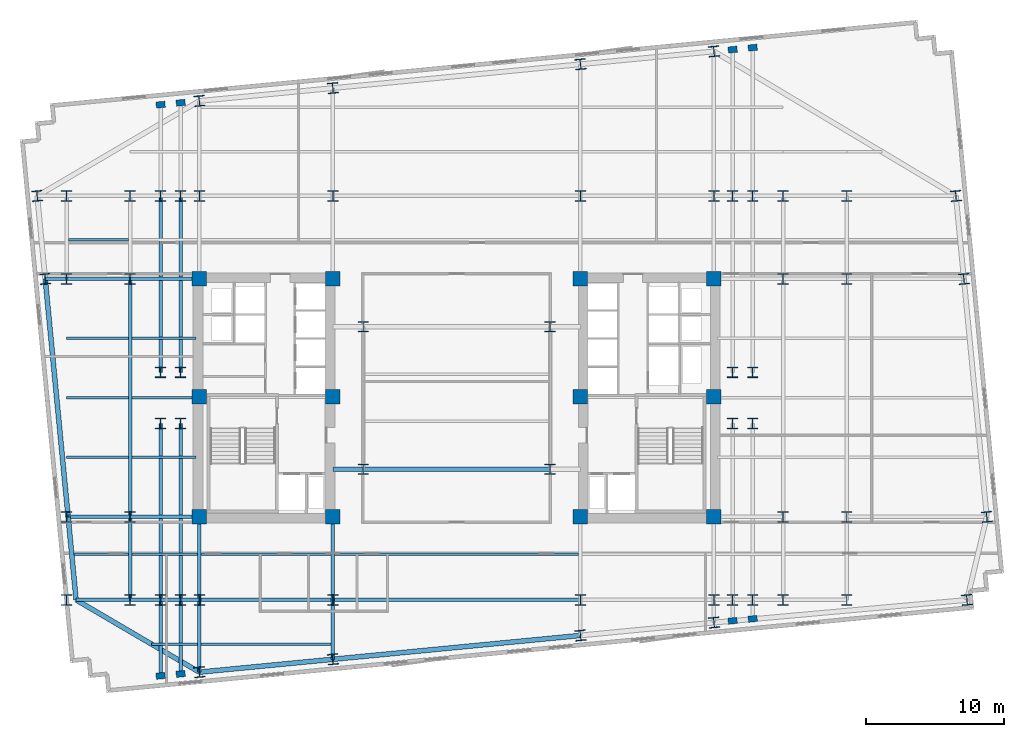
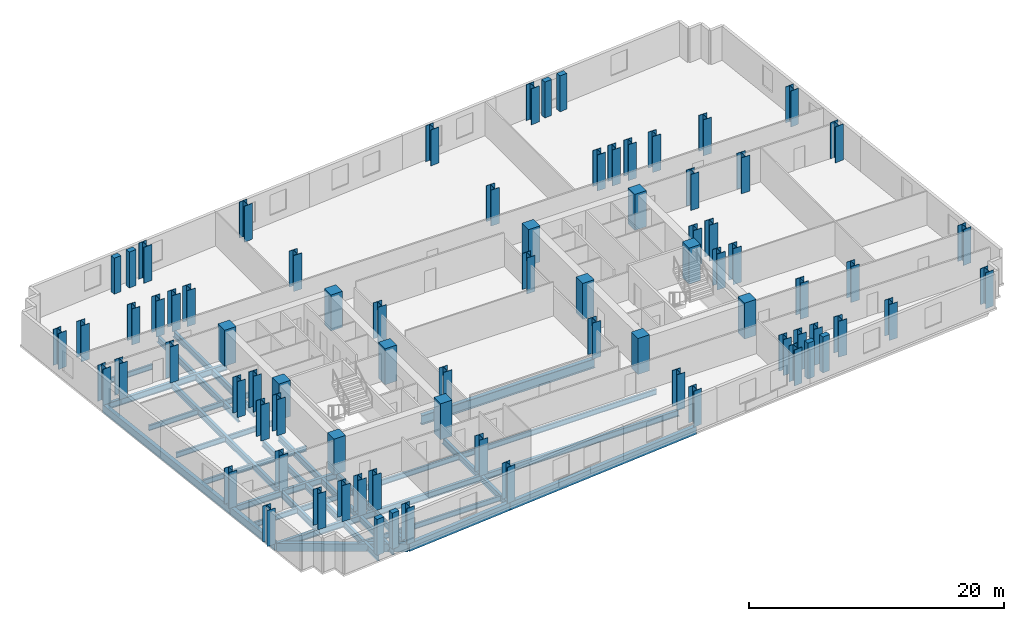
# One storey, part 1 of 10: 78 columns, 41 beams.
"""IFC4 building model written with IfcOpenShell, lengths in metres."""

from ifc_helpers import new_model, si_unit, direction, frame, origin, origin_2d, place, context, subcontext, project, spatial, rectangle, i_section, extrude, material, material_profile, profile_set, type_object, element, save


model = new_model("IFC4")

# Units and contexts
model_context = context("Model", 3, precision=1e-05, world=origin(), true_north=direction((0.0, 1.0)))
body_context = subcontext(model_context, "Body", "Model", "MODEL_VIEW")
ifc_project = project(units=[si_unit("LENGTHUNIT", "METRE"), si_unit("AREAUNIT", "SQUARE_METRE"), si_unit("VOLUMEUNIT", "CUBIC_METRE"), si_unit("PLANEANGLEUNIT", "RADIAN"), si_unit("MASSUNIT", "GRAM", prefix="KILO")], contexts=[model_context])

# Site, building, storey
site_placement = place(None, origin())
site = spatial("IfcSite", under=ifc_project, at=site_placement, CompositionType="ELEMENT")
building_placement = place(site_placement, origin())
building = spatial("IfcBuilding", under=site, at=building_placement, Name="Velakula Bourse", CompositionType="ELEMENT")
storey_placement = place(building_placement, frame((0.0, 0.0, 77.64990234375)))
storey = spatial("IfcBuildingStorey", under=building, at=storey_placement, Name="L20", CompositionType="ELEMENT", Elevation=77.64990234375)

# Columns
ifc_material_1 = material(Name="Concrete M70 (fck 70 MPa)", Category="concrete")
ifc_material_profile_1 = material_profile(ifc_material_1, rectangle(XDim=1.050048828125, YDim=1.050048828125, at=origin_2d()), Name="Concrete M70 (fck 70 MPa)")
ifc_profile_set_1 = profile_set([ifc_material_profile_1], Name="Concrete M70 (fck 70 MPa)")
column_type_1 = type_object("IfcColumnType", Name="COL-RC-1050", PredefinedType="COLUMN", material=ifc_profile_set_1)
for number, where, z_axis, x_axis, name in (
    (1, (-8.949951171875, -8.60009765625, 0.0), (0.0, 0.0, 1.0), (1.0, 0.0, 0.0), "L20 Core Boundary Column 01"),
    (2, (-8.949951171875, 0.10009765625, 0.0), (0.0, 0.0, 1.0), (1.0, 0.0, 0.0), "L20 Core Boundary Column 02"),
    (3, (-8.949951171875, 8.60009765625, 0.0), (0.0, 0.0, 1.0), (1.0, 0.0, 0.0), "L20 Core Boundary Column 03"),
    (4, (-18.60009765625, -8.60009765625, 0.0), (0.0, 0.0, 1.0), (1.0, 0.0, 0.0), "L20 Core Boundary Column 04"),
    (5, (-18.60009765625, 0.10009765625, 0.0), (0.0, 0.0, 1.0), (1.0, 0.0, 0.0), "L20 Core Boundary Column 05"),
    (6, (-18.60009765625, 8.60009765625, 0.0), (0.0, 0.0, 1.0), (1.0, 0.0, 0.0), "L20 Core Boundary Column 06"),
    (7, (8.949951171875, -8.60009765625, 0.0), (0.0, 0.0, 1.0), (1.0, 0.0, 0.0), "L20 Core Boundary Column 07"),
    (8, (8.949951171875, 0.10009765625, 0.0), (0.0, 0.0, 1.0), (1.0, 0.0, 0.0), "L20 Core Boundary Column 08"),
    (9, (8.949951171875, 8.60009765625, 0.0), (0.0, 0.0, 1.0), (1.0, 0.0, 0.0), "L20 Core Boundary Column 09"),
    (10, (18.60009765625, -8.60009765625, 0.0), (0.0, 0.0, 1.0), (1.0, 0.0, 0.0), "L20 Core Boundary Column 10"),
    (11, (18.60009765625, 0.10009765625, 0.0), (0.0, 0.0, 1.0), (1.0, 0.0, 0.0), "L20 Core Boundary Column 11"),
    (12, (18.60009765625, 8.60009765625, 0.0), (0.0, 0.0, 1.0), (1.0, 0.0, 0.0), "L20 Core Boundary Column 12"),
):
    element("IfcColumn", number, at=place(storey_placement, frame(where, z_axis=z_axis, x_axis=x_axis)), inside=storey, type_object=column_type_1, Name=name, PredefinedType="COLUMN", context=body_context, shape_type="SweptSolid", body=[
        extrude(rectangle(XDim=1.050048828125, YDim=1.050048828125, at=origin_2d()), origin(), (0.0, 0.0, 1.0), 3.4501953125),
    ])
ifc_material_2 = material(Name="Steel IS 2062 Grade 450 (E450)", Category="steel")
ifc_material_profile_2 = material_profile(ifc_material_2, i_section(OverallWidth=0.75, OverallDepth=0.75, WebThickness=0.030029296875, FlangeThickness=0.0439453125, at=origin_2d()), Name="Steel IS 2062 Grade 450 (E450)")
ifc_profile_set_2 = profile_set([ifc_material_profile_2], Name="Steel IS 2062 Grade 450 (E450)")
column_type_2 = type_object("IfcColumnType", Name="COL-STL-750", PredefinedType="COLUMN", material=ifc_profile_set_2)
for number, where, z_axis, x_axis, name in (
    (13, (-6.75, -5.14990234375, 0.0), (0.0, 0.0, 1.0), (1.0, 0.0, 0.0), "L20 Central Spine Column 01"),
    (14, (-6.75, 5.14990234375, 0.0), (0.0, 0.0, 1.0), (1.0, 0.0, 0.0), "L20 Central Spine Column 02"),
    (15, (6.75, -5.14990234375, 0.0), (0.0, 0.0, 1.0), (1.0, 0.0, 0.0), "L20 Central Spine Column 03"),
    (16, (6.75, 5.14990234375, 0.0), (0.0, 0.0, 1.0), (1.0, 0.0, 0.0), "L20 Central Spine Column 04"),
    (17, (-21.39990234375, -14.60009765625, 0.0), (0.0, 0.0, 1.0), (1.0, 0.0, 0.0), "L20 Tower Fulcrum Column 01"),
    (18, (-21.39990234375, 14.60009765625, 0.0), (0.0, 0.0, 1.0), (1.0, 0.0, 0.0), "L20 Tower Fulcrum Column 02"),
    (19, (-19.949951171875, -14.60009765625, 0.0), (0.0, 0.0, 1.0), (1.0, 0.0, 0.0), "L20 Tower Fulcrum Column 03"),
    (20, (-19.949951171875, 14.60009765625, 0.0), (0.0, 0.0, 1.0), (1.0, 0.0, 0.0), "L20 Tower Fulcrum Column 04"),
    (21, (-18.60009765625, -14.60009765625, 0.0), (0.0, 0.0, 1.0), (1.0, 0.0, 0.0), "L20 Tower Fulcrum Column 05"),
    (22, (-18.60009765625, 14.60009765625, 0.0), (0.0, 0.0, 1.0), (1.0, 0.0, 0.0), "L20 Tower Fulcrum Column 06"),
    (23, (-8.949951171875, -14.60009765625, 0.0), (0.0, 0.0, 1.0), (1.0, 0.0, 0.0), "L20 Tower Fulcrum Column 07"),
    (24, (-8.949951171875, 14.60009765625, 0.0), (0.0, 0.0, 1.0), (1.0, 0.0, 0.0), "L20 Tower Fulcrum Column 08"),
    (25, (8.949951171875, -14.60009765625, 0.0), (0.0, 0.0, 1.0), (1.0, 0.0, 0.0), "L20 Tower Fulcrum Column 09"),
    (26, (8.949951171875, 14.60009765625, 0.0), (0.0, 0.0, 1.0), (1.0, 0.0, 0.0), "L20 Tower Fulcrum Column 10"),
    (27, (18.60009765625, -14.60009765625, 0.0), (0.0, 0.0, 1.0), (1.0, 0.0, 0.0), "L20 Tower Fulcrum Column 11"),
    (28, (18.60009765625, 14.60009765625, 0.0), (0.0, 0.0, 1.0), (1.0, 0.0, 0.0), "L20 Tower Fulcrum Column 12"),
    (29, (19.949951171875, -14.60009765625, 0.0), (0.0, 0.0, 1.0), (1.0, 0.0, 0.0), "L20 Tower Fulcrum Column 13"),
    (30, (19.949951171875, 14.60009765625, 0.0), (0.0, 0.0, 1.0), (1.0, 0.0, 0.0), "L20 Tower Fulcrum Column 14"),
    (31, (21.39990234375, -14.60009765625, 0.0), (0.0, 0.0, 1.0), (1.0, 0.0, 0.0), "L20 Tower Fulcrum Column 15"),
    (32, (21.39990234375, 14.60009765625, 0.0), (0.0, 0.0, 1.0), (1.0, 0.0, 0.0), "L20 Tower Fulcrum Column 16"),
    (33, (-21.39990234375, -1.85009765625, 0.0), (0.0, 0.0, 1.0), (1.0, 0.0, 0.0), "L20 Tower Fulcrum Column 17"),
    (34, (-21.39990234375, 1.85009765625, 0.0), (0.0, 0.0, 1.0), (1.0, 0.0, 0.0), "L20 Tower Fulcrum Column 18"),
    (35, (-19.949951171875, -1.85009765625, 0.0), (0.0, 0.0, 1.0), (1.0, 0.0, 0.0), "L20 Tower Fulcrum Column 19"),
    (36, (-19.949951171875, 1.85009765625, 0.0), (0.0, 0.0, 1.0), (1.0, 0.0, 0.0), "L20 Tower Fulcrum Column 20"),
    (37, (19.949951171875, -1.85009765625, 0.0), (0.0, 0.0, 1.0), (1.0, 0.0, 0.0), "L20 Tower Fulcrum Column 21"),
    (38, (19.949951171875, 1.85009765625, 0.0), (0.0, 0.0, 1.0), (1.0, 0.0, 0.0), "L20 Tower Fulcrum Column 22"),
    (39, (21.39990234375, -1.85009765625, 0.0), (0.0, 0.0, 1.0), (1.0, 0.0, 0.0), "L20 Tower Fulcrum Column 23"),
    (40, (21.39990234375, 1.85009765625, 0.0), (0.0, 0.0, 1.0), (1.0, 0.0, 0.0), "L20 Tower Fulcrum Column 24"),
    (41, (-23.60009765625, -14.60009765625, 0.0), (0.0, 0.0, 1.0), (1.0, 0.0, 0.0), "L20 Mid-Wing Plumb Column 01"),
    (42, (-23.60009765625, -8.60009765625, 0.0), (0.0, 0.0, 1.0), (1.0, 0.0, 0.0), "L20 Mid-Wing Plumb Column 02"),
    (43, (-23.60009765625, 8.60009765625, 0.0), (0.0, 0.0, 1.0), (1.0, 0.0, 0.0), "L20 Mid-Wing Plumb Column 03"),
    (44, (-23.60009765625, 14.60009765625, 0.0), (0.0, 0.0, 1.0), (1.0, 0.0, 0.0), "L20 Mid-Wing Plumb Column 04"),
    (45, (23.60009765625, -14.60009765625, 0.0), (0.0, 0.0, 1.0), (1.0, 0.0, 0.0), "L20 Mid-Wing Plumb Column 05"),
    (46, (23.60009765625, -8.60009765625, 0.0), (0.0, 0.0, 1.0), (1.0, 0.0, 0.0), "L20 Mid-Wing Plumb Column 06"),
    (47, (23.60009765625, 8.60009765625, 0.0), (0.0, 0.0, 1.0), (1.0, 0.0, 0.0), "L20 Mid-Wing Plumb Column 07"),
    (48, (23.60009765625, 14.60009765625, 0.0), (0.0, 0.0, 1.0), (1.0, 0.0, 0.0), "L20 Mid-Wing Plumb Column 08"),
    (49, (-28.199951171875, -14.60009765625, 0.0), (0.0, 0.0, 1.0), (1.0, 0.0, 0.0), "L20 Lower Wing Column 01"),
    (50, (-28.199951171875, -8.60009765625, 0.0), (0.0, 0.0, 1.0), (1.0, 0.0, 0.0), "L20 Lower Wing Column 02"),
    (51, (-28.199951171875, 8.60009765625, 0.0), (0.0, 0.0, 1.0), (1.0, 0.0, 0.0), "L20 Lower Wing Column 03"),
    (52, (-28.199951171875, 14.60009765625, 0.0), (0.0, 0.0, 1.0), (1.0, 0.0, 0.0), "L20 Lower Wing Column 04"),
    (53, (28.199951171875, -14.60009765625, 0.0), (0.0, 0.0, 1.0), (1.0, 0.0, 0.0), "L20 Lower Wing Column 05"),
    (54, (28.199951171875, -8.60009765625, 0.0), (0.0, 0.0, 1.0), (1.0, 0.0, 0.0), "L20 Lower Wing Column 06"),
    (55, (28.199951171875, 8.60009765625, 0.0), (0.0, 0.0, 1.0), (1.0, 0.0, 0.0), "L20 Lower Wing Column 07"),
    (56, (28.199951171875, 14.60009765625, 0.0), (0.0, 0.0, 1.0), (1.0, 0.0, 0.0), "L20 Lower Wing Column 08"),
    (57, (-18.60009765625, -19.8212890625, 0.0), (0.0, 0.0, 1.0), (0.995396198367, 0.09584575252, 0.0), "L20 Block B2 Perimeter Column S1"),
    (58, (-8.949951171875, -18.89208984375, 0.0), (0.0, 0.0, 1.0), (0.995396198367, 0.09584575252, 0.0), "L20 Block B2 Perimeter Column S2"),
    (59, (8.949951171875, -17.16845703125, 0.0), (0.0, 0.0, 1.0), (0.995396198367, 0.09584575252, 0.0), "L20 Block B2 Perimeter Column S3"),
    (60, (18.60009765625, -16.2392578125, 0.0), (0.0, 0.0, 1.0), (0.995396198367, 0.09584575252, 0.0), "L20 Block B2 Perimeter Column S4"),
    (61, (-18.60009765625, 21.468994140625, 0.0), (0.0, 0.0, 1.0), (0.995396198367, 0.09584575252, 0.0), "L20 Block B2 Perimeter Column N1"),
    (62, (-8.949951171875, 22.398193359375, 0.0), (0.0, 0.0, 1.0), (0.995396198367, 0.09584575252, 0.0), "L20 Block B2 Perimeter Column N2"),
    (63, (8.949951171875, 24.12158203125, 0.0), (0.0, 0.0, 1.0), (0.995396198367, 0.09584575252, 0.0), "L20 Block B2 Perimeter Column N3"),
    (64, (18.60009765625, 25.05078125, 0.0), (0.0, 0.0, 1.0), (0.995396198367, 0.09584575252, 0.0), "L20 Block B2 Perimeter Column N4"),
    (65, (-29.7421875, 8.60009765625, 0.0), (0.0, 0.0, 1.0), (0.995396198367, 0.09584575252, 0.0), "L20 Block B2 Perimeter Column W3"),
    (66, (-30.31982421875, 14.60009765625, 0.0), (0.0, 0.0, 1.0), (0.995396198367, 0.09584575252, 0.0), "L20 Block B2 Perimeter Column W4"),
    (67, (36.88818359375, -14.60009765625, 0.0), (0.0, 0.0, 1.0), (0.995396198367, 0.09584575252, 0.0), "L20 Block B2 Perimeter Column E1"),
    (68, (38.31982421875, -8.60009765625, 0.0), (0.0, 0.0, 1.0), (0.995396198367, 0.09584575252, 0.0), "L20 Block B2 Perimeter Column E2"),
    (69, (36.66357421875, 8.60009765625, 0.0), (0.0, 0.0, 1.0), (0.995396198367, 0.09584575252, 0.0), "L20 Block B2 Perimeter Column E3"),
    (70, (36.0859375, 14.60009765625, 0.0), (0.0, 0.0, 1.0), (0.995396198367, 0.09584575252, 0.0), "L20 Block B2 Perimeter Column E4"),
):
    element("IfcColumn", number, at=place(storey_placement, frame(where, z_axis=z_axis, x_axis=x_axis)), inside=storey, type_object=column_type_2, Name=name, PredefinedType="COLUMN", context=body_context, shape_type="SweptSolid", body=[
        extrude(i_section(OverallWidth=0.75, OverallDepth=0.75, WebThickness=0.030029296875, FlangeThickness=0.0439453125, at=origin_2d()), origin(), (0.0, 0.0, 1.0), 3.4501953125),
    ])
ifc_material_3 = material(Name="Precast concrete M45 (fck 45 MPa)", Category="concrete")
ifc_material_profile_3 = material_profile(ifc_material_3, rectangle(XDim=0.64990234375, YDim=0.449951171875, at=origin_2d()), Name="Precast concrete M45 (fck 45 MPa)")
ifc_profile_set_3 = profile_set([ifc_material_profile_3], Name="Precast concrete M45 (fck 45 MPa)")
column_type_3 = type_object("IfcColumnType", Name="PIL-BRICK-650", PredefinedType="PILASTER", material=ifc_profile_set_3)
for number, where, z_axis, x_axis, name in (
    (71, (-21.39990234375, -20.0908203125, 0.0), (0.0, 0.0, 1.0), (0.995396198367, 0.09584575252, 0.0), "L20 Brick Pier Pilaster 01"),
    (72, (-19.949951171875, -19.951171875, 0.0), (0.0, 0.0, 1.0), (0.995396198367, 0.09584575252, 0.0), "L20 Brick Pier Pilaster 02"),
    (73, (19.949951171875, -16.109130859375, 0.0), (0.0, 0.0, 1.0), (0.995396198367, 0.09584575252, 0.0), "L20 Brick Pier Pilaster 03"),
    (74, (21.39990234375, -15.969482421875, 0.0), (0.0, 0.0, 1.0), (0.995396198367, 0.09584575252, 0.0), "L20 Brick Pier Pilaster 04"),
    (75, (-21.39990234375, 21.19921875, 0.0), (0.0, 0.0, 1.0), (0.995396198367, 0.09584575252, 0.0), "L20 Brick Pier Pilaster 05"),
    (76, (-19.949951171875, 21.3388671875, 0.0), (0.0, 0.0, 1.0), (0.995396198367, 0.09584575252, 0.0), "L20 Brick Pier Pilaster 06"),
    (77, (19.949951171875, 25.180908203125, 0.0), (0.0, 0.0, 1.0), (0.995396198367, 0.09584575252, 0.0), "L20 Brick Pier Pilaster 07"),
    (78, (21.39990234375, 25.320556640625, 0.0), (0.0, 0.0, 1.0), (0.995396198367, 0.09584575252, 0.0), "L20 Brick Pier Pilaster 08"),
):
    element("IfcColumn", number, at=place(storey_placement, frame(where, z_axis=z_axis, x_axis=x_axis)), inside=storey, type_object=column_type_3, Name=name, PredefinedType="PILASTER", context=body_context, shape_type="SweptSolid", body=[
        extrude(rectangle(XDim=0.64990234375, YDim=0.449951171875, at=origin_2d()), origin(), (0.0, 0.0, 1.0), 3.4501953125),
    ])

# Beams
ifc_material_4 = material(Name="Steel IS 2062 Grade 350 (E350)", Category="steel")
ifc_material_profile_4 = material_profile(ifc_material_4, i_section(OverallWidth=0.25, OverallDepth=0.60009765625, WebThickness=0.01171875, FlangeThickness=0.023681640625, at=origin_2d()), Name="Steel IS 2062 Grade 350 (E350)")
ifc_profile_set_4 = profile_set([ifc_material_profile_4], Name="Steel IS 2062 Grade 350 (E350)")
beam_type_1 = type_object("IfcBeamType", Name="BM-GRD-600H", PredefinedType="BEAM", material=ifc_profile_set_4)
for number, where, z_axis, x_axis, name in (
    (79, (-18.60009765625, -14.60009765625, -0.47998046875), (0.0, 1.0, 0.0), (-1.0, 0.0, 0.0), "L20 Fulcrum Grid Girder FLC-WS"),
    (80, (-8.949951171875, -14.60009765625, -0.47998046875), (0.0, 1.0, 0.0), (-1.0, 0.0, 0.0), "L20 Fulcrum Grid Girder FLC-WCS"),
):
    element("IfcBeam", number, at=place(storey_placement, frame(where, z_axis=z_axis, x_axis=x_axis)), inside=storey, type_object=beam_type_1, Name=name, PredefinedType="BEAM", context=body_context, shape_type="SweptSolid", body=[
        extrude(i_section(OverallWidth=0.25, OverallDepth=0.60009765625, WebThickness=0.01171875, FlangeThickness=0.023681640625, at=origin_2d()), origin(), (0.0, 0.0, 1.0), 6.0),
    ])
beam_1_placement = place(storey_placement, frame((-18.60009765625, -14.60009765625, -0.47998046875), z_axis=(1.0, 0.0, 0.0), x_axis=(0.0, 1.0, 0.0)))
element("IfcBeam", 81, at=beam_1_placement, inside=storey, type_object=beam_type_1, Name="L20 Fulcrum Grid Girder FLC-S1", PredefinedType="BEAM", context=body_context, shape_type="SweptSolid", body=[
    extrude(i_section(OverallWidth=0.25, OverallDepth=0.60009765625, WebThickness=0.01171875, FlangeThickness=0.023681640625, at=origin_2d()), origin(), (0.0, 0.0, 1.0), 9.650146484375),
])
beam_2_placement = place(storey_placement, frame((-8.949951171875, -14.60009765625, -0.47998046875), z_axis=(1.0, 0.0, 0.0), x_axis=(0.0, 1.0, 0.0)))
element("IfcBeam", 82, at=beam_2_placement, inside=storey, type_object=beam_type_1, Name="L20 Fulcrum Grid Girder FLC-S2", PredefinedType="BEAM", context=body_context, shape_type="SweptSolid", body=[
    extrude(i_section(OverallWidth=0.25, OverallDepth=0.60009765625, WebThickness=0.01171875, FlangeThickness=0.023681640625, at=origin_2d()), origin(), (0.0, 0.0, 1.0), 17.89990234375),
])
for number, where, z_axis, x_axis, name in (
    (83, (-21.39990234375, -14.60009765625, -0.47998046875), (0.0, 1.0, 0.0), (-1.0, 0.0, 0.0), "L20 Fulcrum Grid Girder FLC-PSW1"),
    (84, (-21.39990234375, 1.85009765625, -0.47998046875), (0.0, 1.0, 0.0), (-1.0, 0.0, 0.0), "L20 Fulcrum Grid Girder FLC-PNW1"),
    (85, (-19.949951171875, -14.60009765625, -0.47998046875), (0.0, 1.0, 0.0), (-1.0, 0.0, 0.0), "L20 Fulcrum Grid Girder FLC-PSW2"),
    (86, (-19.949951171875, 1.85009765625, -0.47998046875), (0.0, 1.0, 0.0), (-1.0, 0.0, 0.0), "L20 Fulcrum Grid Girder FLC-PNW2"),
):
    element("IfcBeam", number, at=place(storey_placement, frame(where, z_axis=z_axis, x_axis=x_axis)), inside=storey, type_object=beam_type_1, Name=name, PredefinedType="BEAM", context=body_context, shape_type="SweptSolid", body=[
        extrude(i_section(OverallWidth=0.25, OverallDepth=0.60009765625, WebThickness=0.01171875, FlangeThickness=0.023681640625, at=origin_2d()), origin(), (0.0, 0.0, 1.0), 12.75),
    ])
for number, where, z_axis, x_axis, name in (
    (87, (-23.60009765625, -14.60009765625, -0.47998046875), (1.0, 0.0, 0.0), (0.0, 1.0, 0.0), "L20 Fulcrum Grid Girder MWG-WS1"),
    (88, (-23.60009765625, -8.60009765625, -0.47998046875), (1.0, 0.0, 0.0), (0.0, 1.0, 0.0), "L20 Fulcrum Grid Girder MWG-WS2"),
    (89, (-23.60009765625, 8.60009765625, -0.47998046875), (1.0, 0.0, 0.0), (0.0, 1.0, 0.0), "L20 Fulcrum Grid Girder MWG-WN1"),
):
    element("IfcBeam", number, at=place(storey_placement, frame(where, z_axis=z_axis, x_axis=x_axis)), inside=storey, type_object=beam_type_1, Name=name, PredefinedType="BEAM", context=body_context, shape_type="SweptSolid", body=[
        extrude(i_section(OverallWidth=0.25, OverallDepth=0.60009765625, WebThickness=0.01171875, FlangeThickness=0.023681640625, at=origin_2d()), origin(), (0.0, 0.0, 1.0), 5.0),
    ])
beam_3_placement = place(storey_placement, frame((-23.60009765625, -14.60009765625, -0.47998046875), z_axis=(0.0, 1.0, 0.0), x_axis=(-1.0, 0.0, 0.0)))
element("IfcBeam", 90, at=beam_3_placement, inside=storey, type_object=beam_type_1, Name="L20 Fulcrum Grid Girder MWG-WNS1", PredefinedType="BEAM", context=body_context, shape_type="SweptSolid", body=[
    extrude(i_section(OverallWidth=0.25, OverallDepth=0.60009765625, WebThickness=0.01171875, FlangeThickness=0.023681640625, at=origin_2d()), origin(), (0.0, 0.0, 1.0), 6.0),
])
beam_4_placement = place(storey_placement, frame((-23.60009765625, -8.60009765625, -0.47998046875), z_axis=(0.0, 1.0, 0.0), x_axis=(-1.0, 0.0, 0.0)))
element("IfcBeam", 91, at=beam_4_placement, inside=storey, type_object=beam_type_1, Name="L20 Fulcrum Grid Girder MWG-WNS2", PredefinedType="BEAM", context=body_context, shape_type="SweptSolid", body=[
    extrude(i_section(OverallWidth=0.25, OverallDepth=0.60009765625, WebThickness=0.01171875, FlangeThickness=0.023681640625, at=origin_2d()), origin(), (0.0, 0.0, 1.0), 17.2001953125),
])
beam_5_placement = place(storey_placement, frame((-27.50830078125, -14.60009765625, -0.47998046875), z_axis=(1.0, 0.0, 0.0), x_axis=(0.0, 1.0, 0.0)))
element("IfcBeam", 92, at=beam_5_placement, inside=storey, type_object=beam_type_1, Name="L20 Fulcrum Grid Girder WNG-WS1", PredefinedType="BEAM", context=body_context, shape_type="SweptSolid", body=[
    extrude(i_section(OverallWidth=0.25, OverallDepth=0.60009765625, WebThickness=0.01171875, FlangeThickness=0.023681640625, at=origin_2d()), origin(), (0.0, 0.0, 1.0), 3.908203125),
])
beam_6_placement = place(storey_placement, frame((-28.0859375, -8.60009765625, -0.47998046875), z_axis=(1.0, 0.0, 0.0), x_axis=(0.0, 1.0, 0.0)))
element("IfcBeam", 93, at=beam_6_placement, inside=storey, type_object=beam_type_1, Name="L20 Fulcrum Grid Girder WNG-WS2", PredefinedType="BEAM", context=body_context, shape_type="SweptSolid", body=[
    extrude(i_section(OverallWidth=0.25, OverallDepth=0.60009765625, WebThickness=0.01171875, FlangeThickness=0.023681640625, at=origin_2d()), origin(), (0.0, 0.0, 1.0), 4.48583984375),
])
beam_7_placement = place(storey_placement, frame((-28.199951171875, 8.60009765625, -0.47998046875), z_axis=(1.0, 0.0, 0.0), x_axis=(0.0, 1.0, 0.0)))
element("IfcBeam", 94, at=beam_7_placement, inside=storey, type_object=beam_type_1, Name="L20 Fulcrum Grid Girder WNG-WN1", PredefinedType="BEAM", context=body_context, shape_type="SweptSolid", body=[
    extrude(i_section(OverallWidth=0.25, OverallDepth=0.60009765625, WebThickness=0.01171875, FlangeThickness=0.023681640625, at=origin_2d()), origin(), (0.0, 0.0, 1.0), 4.599853515625),
])
beam_8_placement = place(storey_placement, frame((-18.60009765625, -14.60009765625, -0.47998046875), z_axis=(0.0, -1.0, 0.0), x_axis=(1.0, 0.0, 0.0)))
element("IfcBeam", 95, at=beam_8_placement, inside=storey, type_object=beam_type_1, Name="L20 Perimeter Tie Girder S1", PredefinedType="BEAM", context=body_context, shape_type="SweptSolid", body=[
    extrude(i_section(OverallWidth=0.25, OverallDepth=0.60009765625, WebThickness=0.01171875, FlangeThickness=0.023681640625, at=origin_2d()), origin(), (0.0, 0.0, 1.0), 5.22119140625),
])
beam_9_placement = place(storey_placement, frame((-8.949951171875, -14.60009765625, -0.47998046875), z_axis=(0.0, -1.0, 0.0), x_axis=(1.0, 0.0, 0.0)))
element("IfcBeam", 96, at=beam_9_placement, inside=storey, type_object=beam_type_1, Name="L20 Perimeter Tie Girder S2", PredefinedType="BEAM", context=body_context, shape_type="SweptSolid", body=[
    extrude(i_section(OverallWidth=0.25, OverallDepth=0.60009765625, WebThickness=0.01171875, FlangeThickness=0.023681640625, at=origin_2d()), origin(), (0.0, 0.0, 1.0), 4.2919921875),
])
beam_10_placement = place(storey_placement, frame((-28.199951171875, 8.60009765625, -0.47998046875), z_axis=(-1.0, 0.0, 0.0), x_axis=(0.0, -1.0, 0.0)))
element("IfcBeam", 97, at=beam_10_placement, inside=storey, type_object=beam_type_1, Name="L20 Perimeter Tie Girder W3", PredefinedType="BEAM", context=body_context, shape_type="SweptSolid", body=[
    extrude(i_section(OverallWidth=0.25, OverallDepth=0.60009765625, WebThickness=0.01171875, FlangeThickness=0.023681640625, at=origin_2d()), origin(), (0.0, 0.0, 1.0), 1.542236328125),
])
beam_11_placement = place(storey_placement, frame((-21.39990234375, -14.60009765625, -0.47998046875), z_axis=(0.0, -1.0, 0.0), x_axis=(1.0, 0.0, 0.0)))
element("IfcBeam", 98, at=beam_11_placement, inside=storey, type_object=beam_type_1, Name="L20 Perimeter Tie Girder P01", PredefinedType="BEAM", context=body_context, shape_type="SweptSolid", body=[
    extrude(i_section(OverallWidth=0.25, OverallDepth=0.60009765625, WebThickness=0.01171875, FlangeThickness=0.023681640625, at=origin_2d()), origin(), (0.0, 0.0, 1.0), 5.49072265625),
])
beam_12_placement = place(storey_placement, frame((-19.949951171875, -14.60009765625, -0.47998046875), z_axis=(0.0, -1.0, 0.0), x_axis=(1.0, 0.0, 0.0)))
element("IfcBeam", 99, at=beam_12_placement, inside=storey, type_object=beam_type_1, Name="L20 Perimeter Tie Girder P02", PredefinedType="BEAM", context=body_context, shape_type="SweptSolid", body=[
    extrude(i_section(OverallWidth=0.25, OverallDepth=0.60009765625, WebThickness=0.01171875, FlangeThickness=0.023681640625, at=origin_2d()), origin(), (0.0, 0.0, 1.0), 5.35107421875),
])
ifc_material_profile_5 = material_profile(ifc_material_4, i_section(OverallWidth=0.35009765625, OverallDepth=0.89990234375, WebThickness=0.02001953125, FlangeThickness=0.031982421875, at=origin_2d()), Name="Steel IS 2062 Grade 350 (E350)")
ifc_profile_set_5 = profile_set([ifc_material_profile_5], Name="Steel IS 2062 Grade 350 (E350)")
beam_type_2 = type_object("IfcBeamType", Name="BM-LNK-900", PredefinedType="BEAM", material=ifc_profile_set_5)
beam_13_placement = place(storey_placement, frame((-8.949951171875, -5.14990234375, -0.6298828125), z_axis=(1.0, 0.0, 0.0), x_axis=(0.0, 1.0, 0.0)))
element("IfcBeam", 100, at=beam_13_placement, inside=storey, type_object=beam_type_2, Name="L20 Primary Backbone Girder LNK-S1", PredefinedType="BEAM", context=body_context, shape_type="SweptSolid", body=[
    extrude(i_section(OverallWidth=0.35009765625, OverallDepth=0.89990234375, WebThickness=0.02001953125, FlangeThickness=0.031982421875, at=origin_2d()), origin(), (0.0, 0.0, 1.0), 2.199951171875),
])
beam_14_placement = place(storey_placement, frame((-6.75, -5.14990234375, -0.6298828125), z_axis=(1.0, 0.0, 0.0), x_axis=(0.0, 1.0, 0.0)))
element("IfcBeam", 101, at=beam_14_placement, inside=storey, type_object=beam_type_2, Name="L20 Primary Backbone Girder LNK-S2", PredefinedType="BEAM", context=body_context, shape_type="SweptSolid", body=[
    extrude(i_section(OverallWidth=0.35009765625, OverallDepth=0.89990234375, WebThickness=0.02001953125, FlangeThickness=0.031982421875, at=origin_2d()), origin(), (0.0, 0.0, 1.0), 13.5),
])
ifc_material_profile_6 = material_profile(ifc_material_4, i_section(OverallWidth=0.179931640625, OverallDepth=0.5, WebThickness=0.01025390625, FlangeThickness=0.01708984375, at=origin_2d()), Name="Steel IS 2062 Grade 350 (E350)")
ifc_profile_set_6 = profile_set([ifc_material_profile_6], Name="Steel IS 2062 Grade 350 (E350)")
beam_type_3 = type_object("IfcBeamType", Name="JST-TWR-500", PredefinedType="JOIST", material=ifc_profile_set_6)
beam_15_placement = place(storey_placement, frame((-22.048583984375, -17.800048828125, -0.429931640625), z_axis=(1.0, 0.0, 0.0), x_axis=(0.0, 1.0, 0.0)))
element("IfcBeam", 102, at=beam_15_placement, inside=storey, type_object=beam_type_3, Name="L20 Trading Floor Composite Joist 01", PredefinedType="JOIST", context=body_context, shape_type="SweptSolid", body=[
    extrude(i_section(OverallWidth=0.179931640625, OverallDepth=0.5, WebThickness=0.01025390625, FlangeThickness=0.01708984375, at=origin_2d()), origin(), (0.0, 0.0, 1.0), 3.323486328125),
])
beam_16_placement = place(storey_placement, frame((-18.47509765625, -17.800048828125, -0.429931640625), z_axis=(1.0, 0.0, 0.0), x_axis=(0.0, 1.0, 0.0)))
element("IfcBeam", 103, at=beam_16_placement, inside=storey, type_object=beam_type_3, Name="L20 Trading Floor Composite Joist 02", PredefinedType="JOIST", context=body_context, shape_type="SweptSolid", body=[
    extrude(i_section(OverallWidth=0.179931640625, OverallDepth=0.5, WebThickness=0.01025390625, FlangeThickness=0.01708984375, at=origin_2d()), origin(), (0.0, 0.0, 1.0), 9.400146484375),
])
beam_17_placement = place(storey_placement, frame((-27.650146484375, -11.300048828125, -0.429931640625), z_axis=(1.0, 0.0, 0.0), x_axis=(0.0, 1.0, 0.0)))
element("IfcBeam", 104, at=beam_17_placement, inside=storey, type_object=beam_type_3, Name="L20 Trading Floor Composite Joist 04", PredefinedType="JOIST", context=body_context, shape_type="SweptSolid", body=[
    extrude(i_section(OverallWidth=0.179931640625, OverallDepth=0.5, WebThickness=0.01025390625, FlangeThickness=0.01708984375, at=origin_2d()), origin(), (0.0, 0.0, 1.0), 3.925048828125),
])
beam_18_placement = place(storey_placement, frame((-23.47509765625, -11.300048828125, -0.429931640625), z_axis=(1.0, 0.0, 0.0), x_axis=(0.0, 1.0, 0.0)))
element("IfcBeam", 105, at=beam_18_placement, inside=storey, type_object=beam_type_3, Name="L20 Trading Floor Composite Joist 05", PredefinedType="JOIST", context=body_context, shape_type="SweptSolid", body=[
    extrude(i_section(OverallWidth=0.179931640625, OverallDepth=0.5, WebThickness=0.01025390625, FlangeThickness=0.01708984375, at=origin_2d()), origin(), (0.0, 0.0, 1.0), 4.75),
])
beam_19_placement = place(storey_placement, frame((-18.47509765625, -11.300048828125, -0.429931640625), z_axis=(1.0, 0.0, 0.0), x_axis=(0.0, 1.0, 0.0)))
element("IfcBeam", 106, at=beam_19_placement, inside=storey, type_object=beam_type_3, Name="L20 Trading Floor Composite Joist 06", PredefinedType="JOIST", context=body_context, shape_type="SweptSolid", body=[
    extrude(i_section(OverallWidth=0.179931640625, OverallDepth=0.5, WebThickness=0.01025390625, FlangeThickness=0.01708984375, at=origin_2d()), origin(), (0.0, 0.0, 1.0), 9.400146484375),
])
beam_20_placement = place(storey_placement, frame((-8.824951171875, -11.300048828125, -0.429931640625), z_axis=(1.0, 0.0, 0.0), x_axis=(0.0, 1.0, 0.0)))
element("IfcBeam", 107, at=beam_20_placement, inside=storey, type_object=beam_type_3, Name="L20 Trading Floor Composite Joist 07", PredefinedType="JOIST", context=body_context, shape_type="SweptSolid", body=[
    extrude(i_section(OverallWidth=0.179931640625, OverallDepth=0.5, WebThickness=0.01025390625, FlangeThickness=0.01708984375, at=origin_2d()), origin(), (0.0, 0.0, 1.0), 17.64990234375),
])
beam_21_placement = place(storey_placement, frame((-28.074951171875, 11.449951171875, -0.429931640625), z_axis=(1.0, 0.0, 0.0), x_axis=(0.0, 1.0, 0.0)))
element("IfcBeam", 108, at=beam_21_placement, inside=storey, type_object=beam_type_3, Name="L20 Trading Floor Composite Joist 12", PredefinedType="JOIST", context=body_context, shape_type="SweptSolid", body=[
    extrude(i_section(OverallWidth=0.179931640625, OverallDepth=0.5, WebThickness=0.01025390625, FlangeThickness=0.01708984375, at=origin_2d()), origin(), (0.0, 0.0, 1.0), 4.349853515625),
])
beam_22_placement = place(storey_placement, frame((-28.199951171875, -4.300048828125, -0.429931640625), z_axis=(1.0, 0.0, 0.0), x_axis=(0.0, 1.0, 0.0)))
element("IfcBeam", 109, at=beam_22_placement, inside=storey, type_object=beam_type_3, Name="L20 Trading Floor Composite Joist 33", PredefinedType="JOIST", context=body_context, shape_type="SweptSolid", body=[
    extrude(i_section(OverallWidth=0.179931640625, OverallDepth=0.5, WebThickness=0.01025390625, FlangeThickness=0.01708984375, at=origin_2d()), origin(), (0.0, 0.0, 1.0), 4.474853515625),
])
beam_23_placement = place(storey_placement, frame((-23.47509765625, -4.300048828125, -0.429931640625), z_axis=(1.0, 0.0, 0.0), x_axis=(0.0, 1.0, 0.0)))
element("IfcBeam", 110, at=beam_23_placement, inside=storey, type_object=beam_type_3, Name="L20 Trading Floor Composite Joist 34", PredefinedType="JOIST", context=body_context, shape_type="SweptSolid", body=[
    extrude(i_section(OverallWidth=0.179931640625, OverallDepth=0.5, WebThickness=0.01025390625, FlangeThickness=0.01708984375, at=origin_2d()), origin(), (0.0, 0.0, 1.0), 4.625),
])
beam_24_placement = place(storey_placement, frame((-28.199951171875, 0.0, -0.429931640625), z_axis=(1.0, 0.0, 0.0), x_axis=(0.0, 1.0, 0.0)))
element("IfcBeam", 111, at=beam_24_placement, inside=storey, type_object=beam_type_3, Name="L20 Trading Floor Composite Joist 38", PredefinedType="JOIST", context=body_context, shape_type="SweptSolid", body=[
    extrude(i_section(OverallWidth=0.179931640625, OverallDepth=0.5, WebThickness=0.01025390625, FlangeThickness=0.01708984375, at=origin_2d()), origin(), (0.0, 0.0, 1.0), 4.474853515625),
])
beam_25_placement = place(storey_placement, frame((-23.47509765625, 0.0, -0.429931640625), z_axis=(1.0, 0.0, 0.0), x_axis=(0.0, 1.0, 0.0)))
element("IfcBeam", 112, at=beam_25_placement, inside=storey, type_object=beam_type_3, Name="L20 Trading Floor Composite Joist 39", PredefinedType="JOIST", context=body_context, shape_type="SweptSolid", body=[
    extrude(i_section(OverallWidth=0.179931640625, OverallDepth=0.5, WebThickness=0.01025390625, FlangeThickness=0.01708984375, at=origin_2d()), origin(), (0.0, 0.0, 1.0), 4.625),
])
beam_26_placement = place(storey_placement, frame((-28.199951171875, 4.300048828125, -0.429931640625), z_axis=(1.0, 0.0, 0.0), x_axis=(0.0, 1.0, 0.0)))
element("IfcBeam", 113, at=beam_26_placement, inside=storey, type_object=beam_type_3, Name="L20 Trading Floor Composite Joist 43", PredefinedType="JOIST", context=body_context, shape_type="SweptSolid", body=[
    extrude(i_section(OverallWidth=0.179931640625, OverallDepth=0.5, WebThickness=0.01025390625, FlangeThickness=0.01708984375, at=origin_2d()), origin(), (0.0, 0.0, 1.0), 4.474853515625),
])
beam_27_placement = place(storey_placement, frame((-23.47509765625, 4.300048828125, -0.429931640625), z_axis=(1.0, 0.0, 0.0), x_axis=(0.0, 1.0, 0.0)))
element("IfcBeam", 114, at=beam_27_placement, inside=storey, type_object=beam_type_3, Name="L20 Trading Floor Composite Joist 44", PredefinedType="JOIST", context=body_context, shape_type="SweptSolid", body=[
    extrude(i_section(OverallWidth=0.179931640625, OverallDepth=0.5, WebThickness=0.01025390625, FlangeThickness=0.01708984375, at=origin_2d()), origin(), (0.0, 0.0, 1.0), 4.625),
])
ifc_material_profile_7 = material_profile(ifc_material_3, rectangle(XDim=0.35009765625, YDim=0.75, at=origin_2d()), Name="Precast concrete M45 (fck 45 MPa)")
ifc_profile_set_7 = profile_set([ifc_material_profile_7], Name="Precast concrete M45 (fck 45 MPa)")
beam_type_4 = type_object("IfcBeamType", Name="SPN-BRICK-750", PredefinedType="SPANDREL", material=ifc_profile_set_7)
beam_28_placement = place(storey_placement, frame((-18.60009765625, -19.8212890625, -0.554931640625), z_axis=(0.99539623971, 0.095845323155, 0.0), x_axis=(-0.095845323155, 0.99539623971, 0.0)))
element("IfcBeam", 115, at=beam_28_placement, inside=storey, type_object=beam_type_4, Name="L20 Brick-Faced Precast Spandrel S1-S2", PredefinedType="SPANDREL", context=body_context, shape_type="SweptSolid", body=[
    extrude(rectangle(XDim=0.35009765625, YDim=0.75, at=origin_2d()), origin(), (0.0, 0.0, 1.0), 9.69482421875),
])
beam_29_placement = place(storey_placement, frame((-8.949951171875, -18.89208984375, -0.554931640625), z_axis=(0.995395836254, 0.095849513134, 0.0), x_axis=(-0.095849513134, 0.995395836254, 0.0)))
element("IfcBeam", 116, at=beam_29_placement, inside=storey, type_object=beam_type_4, Name="L20 Brick-Faced Precast Spandrel S2-S3", PredefinedType="SPANDREL", context=body_context, shape_type="SweptSolid", body=[
    extrude(rectangle(XDim=0.35009765625, YDim=0.75, at=origin_2d()), origin(), (0.0, 0.0, 1.0), 17.982666015625),
])
beam_30_placement = place(storey_placement, frame((-27.50830078125, -14.60009765625, -0.554931640625), z_axis=(-0.095829714309, 0.995397742541, 0.0), x_axis=(-0.995397742541, -0.095829714309, 0.0)))
element("IfcBeam", 117, at=beam_30_placement, inside=storey, type_object=beam_type_4, Name="L20 Brick-Faced Precast Spandrel W1-W2", PredefinedType="SPANDREL", context=body_context, shape_type="SweptSolid", body=[
    extrude(rectangle(XDim=0.35009765625, YDim=0.75, at=origin_2d()), origin(), (0.0, 0.0, 1.0), 6.02783203125),
])
beam_31_placement = place(storey_placement, frame((-28.0859375, -8.60009765625, -0.554931640625), z_axis=(-0.095849167925, 0.995395869495, 0.0), x_axis=(-0.995395869495, -0.095849167925, 0.0)))
element("IfcBeam", 118, at=beam_31_placement, inside=storey, type_object=beam_type_4, Name="L20 Brick-Faced Precast Spandrel W2-W3", PredefinedType="SPANDREL", context=body_context, shape_type="SweptSolid", body=[
    extrude(rectangle(XDim=0.35009765625, YDim=0.75, at=origin_2d()), origin(), (0.0, 0.0, 1.0), 17.27978515625),
])
beam_32_placement = place(storey_placement, frame((-27.50830078125, -14.60009765625, -0.554931640625), z_axis=(0.862734250413, -0.505657604674, 0.0), x_axis=(0.505657604674, 0.862734250413, 0.0)))
element("IfcBeam", 119, at=beam_32_placement, inside=storey, type_object=beam_type_4, Name="L20 Brick-Faced Precast Spandrel W1-S1", PredefinedType="SPANDREL", context=body_context, shape_type="SweptSolid", body=[
    extrude(rectangle(XDim=0.35009765625, YDim=0.75, at=origin_2d()), origin(), (0.0, 0.0, 1.0), 10.325439453125),
])

save(model, "model.ifc")
